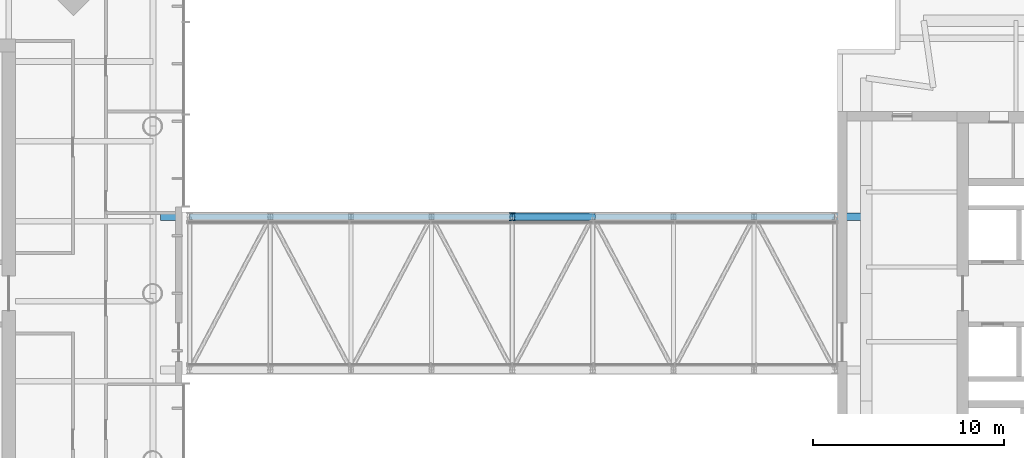
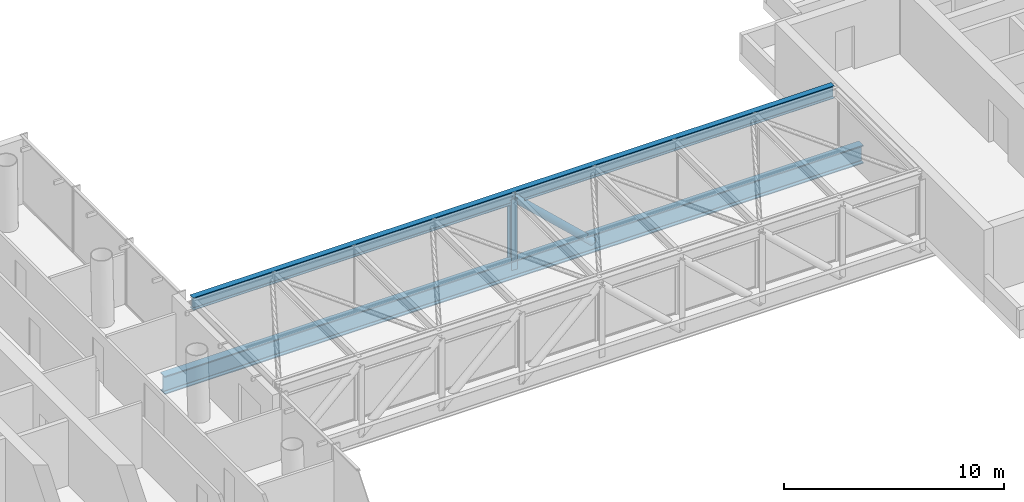
# One storey, part 6 of 19: 4 members.
"""IFC4 building model written with IfcOpenShell, lengths in metres."""

from ifc_helpers import new_model, si_unit, direction, frame, origin, origin_2d, place, context, subcontext, project, spatial, hollow_circle, i_section, extrude, material, material_profile, profile_set, type_object, element, save


model = new_model("IFC4")

# Units and contexts
model_context = context("Model", 3, precision=1e-05, world=origin(), true_north=direction((0.0, 1.0)))
body_context = subcontext(model_context, "Body", "Model", "MODEL_VIEW")
ifc_project = project(units=[si_unit("LENGTHUNIT", "METRE"), si_unit("AREAUNIT", "SQUARE_METRE"), si_unit("VOLUMEUNIT", "CUBIC_METRE"), si_unit("PLANEANGLEUNIT", "RADIAN"), si_unit("MASSUNIT", "GRAM", prefix="KILO")], contexts=[model_context])

# Site, building, storey
site_placement = place(None, origin())
site = spatial("IfcSite", under=ifc_project, at=site_placement, CompositionType="ELEMENT")
building_placement = place(site_placement, origin())
building = spatial("IfcBuilding", under=site, at=building_placement, Name="Ostroluk Exchange", CompositionType="ELEMENT")
storey_placement = place(building_placement, frame((0.0, 0.0, 131.199951171875)))
storey = spatial("IfcBuildingStorey", under=building, at=storey_placement, Name="L33", CompositionType="ELEMENT", Elevation=131.199951171875)

# Members
ifc_material_1 = material(Name="Steel S460", Category="steel")
ifc_material_profile_1 = material_profile(ifc_material_1, i_section(OverallWidth=0.300048828125, OverallDepth=0.699951171875, WebThickness=0.01708984375, FlangeThickness=0.031982421875, FilletRadius=0.027099609375, at=origin_2d()), Name="HEB 700")
ifc_profile_set_1 = profile_set([ifc_material_profile_1], Name="Steel S460")
member_type_1 = type_object("IfcMemberType", Name="Bridge truss chord HEB 700", PredefinedType="CHORD", material=ifc_profile_set_1)
member_1_placement = place(storey_placement, frame((67.39990234375, 50.0, 3.25), z_axis=(1.0, 0.0, 0.0), x_axis=(0.0, 1.0, 0.0)))
element("IfcMember", 1, at=member_1_placement, inside=storey, type_object=member_type_1, Name="BR2 N top chord", PredefinedType="CHORD", context=body_context, shape_type="SweptSolid", body=[
    extrude(i_section(OverallWidth=0.300048828125, OverallDepth=0.699951171875, WebThickness=0.01708984375, FlangeThickness=0.031982421875, FilletRadius=0.027099609375, at=origin_2d()), origin(), (0.0, 0.0, 1.0), 33.7001953125),
])
ifc_material_2 = material(Name="Steel S460", Category="steel")
ifc_material_profile_2 = material_profile(ifc_material_2, i_section(OverallWidth=0.402099609375, OverallDepth=1.011962890625, WebThickness=0.035888671875, FlangeThickness=0.055908203125, FilletRadius=0.030029296875, at=origin_2d()), Name="HL 1000x443")
ifc_profile_set_2 = profile_set([ifc_material_profile_2], Name="Steel S460")
member_type_2 = type_object("IfcMemberType", Name="Bridge truss chord HL 1000x443", PredefinedType="CHORD", material=ifc_profile_set_2)
member_2_placement = place(storey_placement, frame((65.878662109375, 50.0, -0.7060546875), z_axis=(1.0, 0.0, 0.0), x_axis=(0.0, 1.0, 0.0)))
element("IfcMember", 2, at=member_2_placement, inside=storey, type_object=member_type_2, Name="BR2 N bottom chord", PredefinedType="CHORD", context=body_context, shape_type="SweptSolid", body=[
    extrude(i_section(OverallWidth=0.402099609375, OverallDepth=1.011962890625, WebThickness=0.035888671875, FlangeThickness=0.055908203125, FilletRadius=0.030029296875, at=origin_2d()), origin(), (0.0, 0.0, 1.0), 36.721435546875),
])
ifc_material_3 = material(Name="Steel S460", Category="steel")
ifc_material_profile_3 = material_profile(ifc_material_3, hollow_circle(Radius=0.203125, WallThickness=0.01611328125, at=origin_2d()), Name="CHS 406.4x16")
ifc_profile_set_3 = profile_set([ifc_material_profile_3], Name="Steel S460")
member_type_3 = type_object("IfcMemberType", Name="Bridge truss diagonal CHS 406.4x16", PredefinedType="BRACE", material=ifc_profile_set_3)
member_3_placement = place(storey_placement, frame((88.46240234375, 50.0, -0.7060546875), z_axis=(-0.728938784526, 0.0, 0.684578883996), x_axis=(0.0, -1.0, 0.0)))
element("IfcMember", 3, at=member_3_placement, inside=storey, type_object=member_type_3, Name="BR2 N diagonal 5", PredefinedType="BRACE", context=body_context, shape_type="SweptSolid", body=[
    extrude(hollow_circle(Radius=0.203125, WallThickness=0.01611328125, at=origin_2d()), origin(), (0.0, 0.0, 1.0), 5.77880859375),
])
ifc_material_4 = material(Name="Steel S460", Category="steel")
ifc_material_profile_4 = material_profile(ifc_material_4, i_section(OverallWidth=0.300048828125, OverallDepth=0.39990234375, WebThickness=0.013427734375, FlangeThickness=0.02392578125, FilletRadius=0.027099609375, at=origin_2d()), Name="HEB 400")
ifc_profile_set_4 = profile_set([ifc_material_profile_4], Name="Steel S460")
member_type_4 = type_object("IfcMemberType", Name="Bridge truss post HEB 400", PredefinedType="POST", material=ifc_profile_set_4)
member_4_placement = place(storey_placement, frame((84.25, 50.0, -0.7060546875), z_axis=(0.0, 0.0, 1.0), x_axis=(1.0, 0.0, 0.0)))
element("IfcMember", 4, at=member_4_placement, inside=storey, type_object=member_type_4, Name="BR2 N post 5", PredefinedType="POST", context=body_context, shape_type="SweptSolid", body=[
    extrude(i_section(OverallWidth=0.300048828125, OverallDepth=0.39990234375, WebThickness=0.013427734375, FlangeThickness=0.02392578125, FilletRadius=0.027099609375, at=origin_2d()), origin(), (0.0, 0.0, 1.0), 3.9560546875),
])

save(model, "model.ifc")
